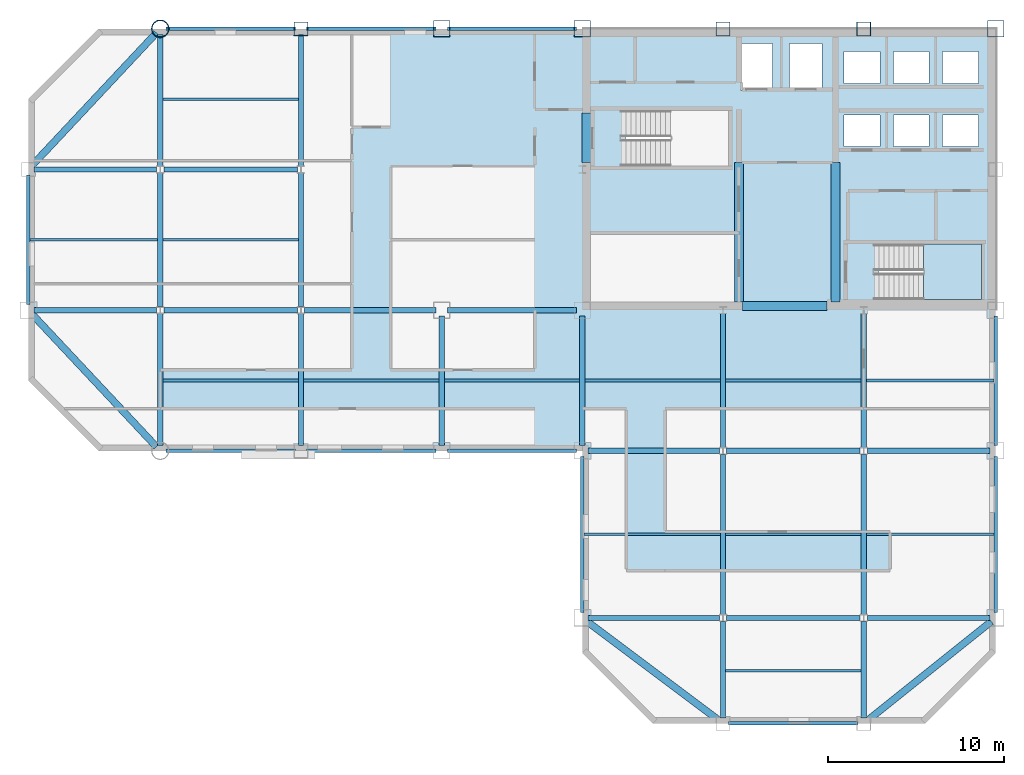
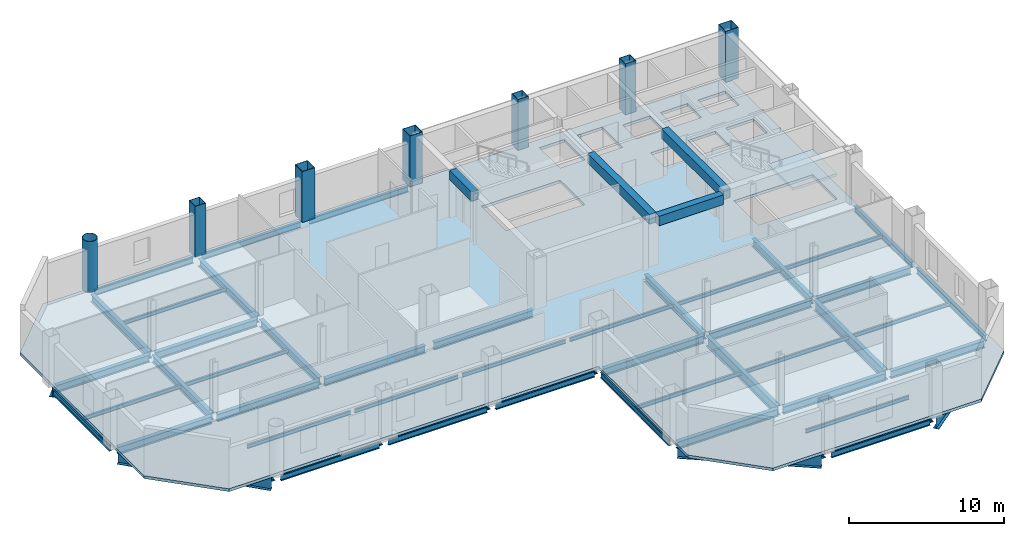
# One storey, part 3 of 10: 58 beams, 7 columns, 2 slabs, 1 element without a shape of its own.
"""IFC4 building model written with IfcOpenShell, lengths in metres."""

import ifcopenshell
import ifcopenshell.guid

model = None  # the IFC model being written
_history = None  # IfcOwnerHistory: only IFC2X3 demands one
_inside = {}  # id of a spatial element -> (the spatial element, [elements in it])
_under = {}  # id of a project, library or spatial element -> (it, [spatial elements below it])
_declared = {}  # id of a project -> (the project, [libraries it declares])
_typed = {}  # id of a type object -> (the type object, [elements of that type])
_made_of = {}  # id of a material, layer set ... -> (it, [elements and type objects made of it])


def new_model(schema):
    """Start an empty IFC model of exactly this schema.

    Asked for "IFC4X3", IfcOpenShell would pick the latest addendum, in which some entities
    have other attributes; the version numbers below select the first issue.
    IFC2X3 requires an IfcOwnerHistory on every rooted entity: one is made here for all.
    """
    global model, _history
    if schema == "IFC4X3":
        model = ifcopenshell.file(schema_version=(4, 3, 0, 0))
    else:
        model = ifcopenshell.file(schema=schema)
    _inside.clear()
    _under.clear()
    _declared.clear()
    _typed.clear()
    _made_of.clear()
    _history = None
    if model.schema == "IFC2X3":
        org = make("IfcOrganization", Name="unknown")
        user = make(
            "IfcPersonAndOrganization",
            ThePerson=make("IfcPerson", FamilyName="unknown"),
            TheOrganization=org,
        )
        app = make(
            "IfcApplication",
            ApplicationDeveloper=org,
            Version="unknown",
            ApplicationFullName="unknown",
            ApplicationIdentifier="unknown",
        )
        _history = make(
            "IfcOwnerHistory",
            OwningUser=user,
            OwningApplication=app,
            ChangeAction="ADDED",
            CreationDate=0,
        )
    return model


def make(cls, **values):
    """One entity of the class cls with the attributes given. An attribute that is None is left unset."""
    return model.create_entity(
        cls, **{name: value for name, value in values.items() if value is not None}
    )


def rooted(cls, **values):
    """An entity with a GlobalId (a new one), such as an element, a storey or a relation."""
    return make(cls, GlobalId=ifcopenshell.guid.new(), OwnerHistory=_history, **values)


def si_unit(unit_type, name, prefix=None):
    """IfcSIUnit, for example si_unit("LENGTHUNIT", "METRE", prefix="MILLI")."""
    return make("IfcSIUnit", UnitType=unit_type, Prefix=prefix, Name=name)


def assignment(units):
    """IfcUnitAssignment: the units of a project."""
    return None if units is None else make("IfcUnitAssignment", Units=units)


def point(xyz):
    """IfcCartesianPoint."""
    return None if xyz is None else make("IfcCartesianPoint", Coordinates=xyz)


def direction(xyz):
    """IfcDirection."""
    return None if xyz is None else make("IfcDirection", DirectionRatios=xyz)


def frame(location, z_axis=None, x_axis=None):
    """IfcAxis2Placement3D, a coordinate frame: its origin and axes. An axis left out is left unset."""
    return make(
        "IfcAxis2Placement3D",
        Location=point(location),
        Axis=direction(z_axis),
        RefDirection=direction(x_axis),
    )


def frame_2d(location, x_axis=None):
    """IfcAxis2Placement2D, a coordinate frame in the plane: its origin and x axis."""
    return make(
        "IfcAxis2Placement2D", Location=point(location), RefDirection=direction(x_axis)
    )


def origin():
    """The frame at (0, 0, 0) with its axes left unset."""
    return frame((0.0, 0.0, 0.0))


def origin_2d():
    """The frame at (0, 0) in the plane with its x axis left unset."""
    return frame_2d((0.0, 0.0))


def place(relative_to, where):
    """IfcLocalPlacement: puts the frame where relative to a parent placement (None: the world)."""
    return make(
        "IfcLocalPlacement", PlacementRelTo=relative_to, RelativePlacement=where
    )


def context(
    kind, dimensions, precision=None, world=None, true_north=None, identifier=None
):
    """IfcGeometricRepresentationContext, for example the 3D "Model" context."""
    return make(
        "IfcGeometricRepresentationContext",
        ContextIdentifier=identifier,
        ContextType=kind,
        CoordinateSpaceDimension=dimensions,
        Precision=precision,
        WorldCoordinateSystem=world,
        TrueNorth=true_north,
    )


def subcontext(parent, identifier, kind, view, scale=None):
    """IfcGeometricRepresentationSubContext, for example "Body" below "Model"."""
    return make(
        "IfcGeometricRepresentationSubContext",
        ContextIdentifier=identifier,
        ContextType=kind,
        ParentContext=parent,
        TargetScale=scale,
        TargetView=view,
    )


def project(units=None, contexts=None):
    """IfcProject with its units and contexts."""
    return rooted(
        "IfcProject",
        Name="project",
        RepresentationContexts=contexts,
        UnitsInContext=assignment(units),
    )


def spatial(cls, under=None, at=None, **own):
    """A site, building, storey or space (cls), placed at a placement, below another one or the project."""
    s = rooted(cls, ObjectPlacement=at, **own)
    if under is not None:
        _under.setdefault(under.id(), (under, []))[1].append(s)
    return s


def polyline(points):
    """IfcPolyline through the points."""
    return make("IfcPolyline", Points=[point(p) for p in points])


def profile(cls, at=None, kind="AREA", **sizes):
    """A parametric profile (cls). Its sizes go by their IFC names, for example OverallWidth=200.0."""
    return make(cls, ProfileType=kind, Position=at, **sizes)


def rectangle(**sizes):
    """IfcRectangleProfileDef."""
    return profile("IfcRectangleProfileDef", **sizes)


def hollow_rectangle(**sizes):
    """IfcRectangleHollowProfileDef."""
    return profile("IfcRectangleHollowProfileDef", **sizes)


def hollow_circle(**sizes):
    """IfcCircleHollowProfileDef."""
    return profile("IfcCircleHollowProfileDef", **sizes)


def i_section(**sizes):
    """IfcIShapeProfileDef."""
    return profile("IfcIShapeProfileDef", **sizes)


def outline(outer, holes=None, kind="AREA"):
    """IfcArbitraryClosedProfileDef: a profile drawn as a closed curve; with holes, ...WithVoids."""
    if holes is None:
        return make("IfcArbitraryClosedProfileDef", ProfileType=kind, OuterCurve=outer)
    return make(
        "IfcArbitraryProfileDefWithVoids",
        ProfileType=kind,
        OuterCurve=outer,
        InnerCurves=holes,
    )


def extrude(swept, where, along, depth):
    """IfcExtrudedAreaSolid: the profile swept, set in the frame where, extruded along a direction by depth."""
    return make(
        "IfcExtrudedAreaSolid",
        SweptArea=swept,
        Position=where,
        ExtrudedDirection=direction(along),
        Depth=depth,
    )


def shape(context_of_items, identifier, shape_type, items):
    """IfcShapeRepresentation: the items that make up one representation, for example the "Body"."""
    return make(
        "IfcShapeRepresentation",
        ContextOfItems=context_of_items,
        RepresentationIdentifier=identifier,
        RepresentationType=shape_type,
        Items=items,
    )


def material(Name=None, Category=None):
    """IfcMaterial."""
    return make("IfcMaterial", Name=Name, Category=Category)


def layer(
    of_material, thickness, ventilated=None, Name=None, Category=None, Priority=None
):
    """IfcMaterialLayer: one layer of a wall or slab, of a material (None: an air gap)."""
    return make(
        "IfcMaterialLayer",
        Material=of_material,
        LayerThickness=thickness,
        IsVentilated=ventilated,
        Name=Name,
        Category=Category,
        Priority=Priority,
    )


def layer_set(layers, Name=None):
    """IfcMaterialLayerSet."""
    return make("IfcMaterialLayerSet", MaterialLayers=layers, LayerSetName=Name)


def material_profile(
    of_material, cross_section, Name=None, Category=None, Priority=None
):
    """IfcMaterialProfile: a cross section and its material."""
    return make(
        "IfcMaterialProfile",
        Name=Name,
        Material=of_material,
        Profile=cross_section,
        Priority=Priority,
        Category=Category,
    )


def profile_set(profiles, Name=None, composite=None):
    """IfcMaterialProfileSet."""
    return make(
        "IfcMaterialProfileSet",
        Name=Name,
        MaterialProfiles=profiles,
        CompositeProfile=composite,
    )


def made_of(thing, what):
    """Note that an element or type object is made of a material, layer set ...; save() writes the relation."""
    if what is not None:
        _made_of.setdefault(what.id(), (what, []))[1].append(thing)
    return thing


def type_object(cls, material=None, **own):
    """A type object (cls), such as IfcWallType, which elements share."""
    return made_of(rooted(cls, **own), material)


def element(
    cls,
    number,
    at=None,
    inside=None,
    cuts=None,
    type_object=None,
    material=None,
    context=None,
    identifier="Body",
    shape_type=None,
    held_by="IfcProductDefinitionShape",
    body=None,
    shapes=None,
    **own,
):
    """One element of the class cls, such as IfcWall. Its Tag is "e" and its number.

    at: its placement. inside: the storey or other place that contains it. cuts: it is an
    opening in that element (IfcRelVoidsElement). A single representation is given by context,
    identifier, shape_type and body (its items); several are given by shapes. held_by: the class
    of the entity that holds the representations. save() writes the other relations.
    """
    e = rooted(cls, Tag="e%d" % number, ObjectPlacement=at, **own)
    if body is not None:
        shapes = [shape(context, identifier, shape_type, body)]
    if shapes is not None:
        e.Representation = make(held_by, Representations=shapes)
    if inside is not None:
        _inside.setdefault(inside.id(), (inside, []))[1].append(e)
    if cuts is not None:
        rooted(
            "IfcRelVoidsElement", RelatingBuildingElement=cuts, RelatedOpeningElement=e
        )
    if type_object is not None:
        _typed.setdefault(type_object.id(), (type_object, []))[1].append(e)
    return made_of(e, material)


def aggregate(whole, parts):
    """IfcRelAggregates: a whole, such as a stair, and the parts it consists of."""
    return rooted("IfcRelAggregates", RelatingObject=whole, RelatedObjects=parts)


def save(model, path):
    """Write the relations noted so far, then the file.

    IfcRelAggregates (storeys below a building ...), IfcRelContainedInSpatialStructure (elements
    in a storey), IfcRelDefinesByType, IfcRelAssociatesMaterial and IfcRelDeclares: one each for
    every whole, place, type object, material and project.
    """
    for whole, parts in _under.values():
        aggregate(whole, parts)
    for where, things in _inside.values():
        rooted(
            "IfcRelContainedInSpatialStructure",
            RelatedElements=things,
            RelatingStructure=where,
        )
    for kind, things in _typed.values():
        rooted("IfcRelDefinesByType", RelatedObjects=things, RelatingType=kind)
    for what, things in _made_of.values():
        rooted("IfcRelAssociatesMaterial", RelatedObjects=things, RelatingMaterial=what)
    for by, libraries in _declared.values():
        rooted("IfcRelDeclares", RelatingContext=by, RelatedDefinitions=libraries)
    model.write(path)


model = new_model("IFC4")

# Units and contexts
model_context = context("Model", 3, precision=1e-05, world=origin(), true_north=direction((0.0, 1.0)))
body_context = subcontext(model_context, "Body", "Model", "MODEL_VIEW")
ifc_project = project(units=[si_unit("LENGTHUNIT", "METRE"), si_unit("AREAUNIT", "SQUARE_METRE"), si_unit("VOLUMEUNIT", "CUBIC_METRE"), si_unit("PLANEANGLEUNIT", "RADIAN"), si_unit("MASSUNIT", "GRAM", prefix="KILO")], contexts=[model_context])

# Site, building, storey
site_placement = place(None, origin())
site = spatial("IfcSite", under=ifc_project, at=site_placement, CompositionType="ELEMENT")
building_placement = place(site_placement, origin())
building = spatial("IfcBuilding", under=site, at=building_placement, Name="Qianrong Seaharbour Tower", CompositionType="ELEMENT")
storey_placement = place(building_placement, frame((0.0, 0.0, 261.800048828125)))
storey = spatial("IfcBuildingStorey", under=building, at=storey_placement, Name="L63", CompositionType="ELEMENT", Elevation=261.800048828125)

# Columns
ifc_material_1 = material(Name="Structural steel SN490B", Category="steel")
ifc_material_profile_1 = material_profile(ifc_material_1, hollow_rectangle(XDim=0.949951171875, YDim=0.949951171875, WallThickness=0.035888671875, at=origin_2d()), Name="BOX950x950x36")
ifc_profile_set_1 = profile_set([ifc_material_profile_1], Name="Structural steel SN490B")
column_type_1 = type_object("IfcColumnType", Name="COL-CFT-950", PredefinedType="COLUMN", material=ifc_profile_set_1)
for number, where, z_axis, x_axis, name in (
    (1, (32.5, 52.0, 0.0), (0.0, 0.0, 1.0), (1.0, 0.0, 0.0), "L63 Column MC-4 at G5/GH"),
    (2, (40.5, 52.0, 0.0), (0.0, 0.0, 1.0), (1.0, 0.0, 0.0), "L63 Column MC-4 at G6/GH"),
    (3, (64.0, 52.0, 0.0), (0.0, 0.0, 1.0), (1.0, 0.0, 0.0), "L63 Column MC-4 at G9/GH"),
):
    element("IfcColumn", number, at=place(storey_placement, frame(where, z_axis=z_axis, x_axis=x_axis)), inside=storey, type_object=column_type_1, Name=name, PredefinedType="COLUMN", context=body_context, shape_type="SweptSolid", body=[
        extrude(hollow_rectangle(XDim=0.949951171875, YDim=0.949951171875, WallThickness=0.035888671875, at=origin_2d()), origin(), (0.0, 0.0, 1.0), 4.0),
    ])
ifc_material_profile_2 = material_profile(ifc_material_1, hollow_circle(Radius=0.5, WallThickness=0.035888671875, at=origin_2d()), Name="CHS1000x36")
ifc_profile_set_2 = profile_set([ifc_material_profile_2], Name="Structural steel SN490B")
column_type_2 = type_object("IfcColumnType", Name="COL-CHS-1000", PredefinedType="COLUMN", material=ifc_profile_set_2)
column_placement = place(storey_placement, frame((16.5, 52.0, 0.0), z_axis=(0.0, 0.0, 1.0), x_axis=(1.0, 0.0, 0.0)))
element("IfcColumn", 4, at=column_placement, inside=storey, type_object=column_type_2, Name="L63 Column CC-2 at G3/GH", PredefinedType="COLUMN", context=body_context, shape_type="SweptSolid", body=[
    extrude(hollow_circle(Radius=0.5, WallThickness=0.035888671875, at=origin_2d()), origin(), (0.0, 0.0, 1.0), 4.0),
])
ifc_material_profile_3 = material_profile(ifc_material_1, hollow_rectangle(XDim=0.800048828125, YDim=0.800048828125, WallThickness=0.031982421875, at=origin_2d()), Name="BOX800x800x32")
ifc_profile_set_3 = profile_set([ifc_material_profile_3], Name="Structural steel SN490B")
column_type_3 = type_object("IfcColumnType", Name="COL-PER-800", PredefinedType="COLUMN", material=ifc_profile_set_3)
for number, where, z_axis, x_axis, name in (
    (5, (24.5, 52.0, 0.0), (0.0, 0.0, 1.0), (1.0, 0.0, 0.0), "L63 Column PC-3 at G4/GH"),
    (6, (48.5, 52.0, 0.0), (0.0, 0.0, 1.0), (1.0, 0.0, 0.0), "L63 Column PC-3 at G7/GH"),
    (7, (56.5, 52.0, 0.0), (0.0, 0.0, 1.0), (1.0, 0.0, 0.0), "L63 Column PC-3 at G8/GH"),
):
    element("IfcColumn", number, at=place(storey_placement, frame(where, z_axis=z_axis, x_axis=x_axis)), inside=storey, type_object=column_type_3, Name=name, PredefinedType="COLUMN", context=body_context, shape_type="SweptSolid", body=[
        extrude(hollow_rectangle(XDim=0.800048828125, YDim=0.800048828125, WallThickness=0.031982421875, at=origin_2d()), origin(), (0.0, 0.0, 1.0), 4.0),
    ])

# Beams
ifc_material_profile_4 = material_profile(ifc_material_1, i_section(OverallWidth=0.300048828125, OverallDepth=0.587890625, WebThickness=0.011962890625, FlangeThickness=0.02001953125, FilletRadius=0.02392578125, at=origin_2d()), Name="H588x300x12x20")
ifc_profile_set_4 = profile_set([ifc_material_profile_4], Name="Structural steel SN490B")
beam_type_1 = type_object("IfcBeamType", Name="BM-G-588", PredefinedType="BEAM", material=ifc_profile_set_4)
beam_1_placement = place(storey_placement, frame((40.820068359375, 18.5, -0.51904296875), z_axis=(1.0, 0.0, 0.0), x_axis=(0.0, 1.0, 0.0)))
element("IfcBeam", 8, at=beam_1_placement, inside=storey, type_object=beam_type_1, Name="L63 Primary Girder GD G6-G7", PredefinedType="BEAM", context=body_context, shape_type="SweptSolid", body=[
    extrude(i_section(OverallWidth=0.300048828125, OverallDepth=0.587890625, WebThickness=0.011962890625, FlangeThickness=0.02001953125, FilletRadius=0.02392578125, at=origin_2d()), origin(), (0.0, 0.0, 1.0), 7.47998046875),
])
beam_2_placement = place(storey_placement, frame((48.699951171875, 18.5, -0.51904296875), z_axis=(1.0, 0.0, 0.0), x_axis=(0.0, 1.0, 0.0)))
element("IfcBeam", 9, at=beam_2_placement, inside=storey, type_object=beam_type_1, Name="L63 Primary Girder GD G7-G8", PredefinedType="BEAM", context=body_context, shape_type="SweptSolid", body=[
    extrude(i_section(OverallWidth=0.300048828125, OverallDepth=0.587890625, WebThickness=0.011962890625, FlangeThickness=0.02001953125, FilletRadius=0.02392578125, at=origin_2d()), origin(), (0.0, 0.0, 1.0), 7.60009765625),
])
beam_3_placement = place(storey_placement, frame((56.699951171875, 18.5, -0.51904296875), z_axis=(1.0, 0.0, 0.0), x_axis=(0.0, 1.0, 0.0)))
element("IfcBeam", 10, at=beam_3_placement, inside=storey, type_object=beam_type_1, Name="L63 Primary Girder GD G8-G9", PredefinedType="BEAM", context=body_context, shape_type="SweptSolid", body=[
    extrude(i_section(OverallWidth=0.300048828125, OverallDepth=0.587890625, WebThickness=0.011962890625, FlangeThickness=0.02001953125, FilletRadius=0.02392578125, at=origin_2d()), origin(), (0.0, 0.0, 1.0), 6.97998046875),
])
beam_4_placement = place(storey_placement, frame((40.820068359375, 28.0, -0.51904296875), z_axis=(1.0, 0.0, 0.0), x_axis=(0.0, 1.0, 0.0)))
element("IfcBeam", 11, at=beam_4_placement, inside=storey, type_object=beam_type_1, Name="L63 Primary Girder GE G6-G7", PredefinedType="BEAM", context=body_context, shape_type="SweptSolid", body=[
    extrude(i_section(OverallWidth=0.300048828125, OverallDepth=0.587890625, WebThickness=0.011962890625, FlangeThickness=0.02001953125, FilletRadius=0.02392578125, at=origin_2d()), origin(), (0.0, 0.0, 1.0), 7.47998046875),
])
beam_5_placement = place(storey_placement, frame((48.699951171875, 28.0, -0.51904296875), z_axis=(1.0, 0.0, 0.0), x_axis=(0.0, 1.0, 0.0)))
element("IfcBeam", 12, at=beam_5_placement, inside=storey, type_object=beam_type_1, Name="L63 Primary Girder GE G7-G8", PredefinedType="BEAM", context=body_context, shape_type="SweptSolid", body=[
    extrude(i_section(OverallWidth=0.300048828125, OverallDepth=0.587890625, WebThickness=0.011962890625, FlangeThickness=0.02001953125, FilletRadius=0.02392578125, at=origin_2d()), origin(), (0.0, 0.0, 1.0), 7.60009765625),
])
for number, where, z_axis, x_axis, name in (
    (13, (56.699951171875, 28.0, -0.51904296875), (1.0, 0.0, 0.0), (0.0, 1.0, 0.0), "L63 Primary Girder GE G8-G9"),
    (14, (9.320068359375, 36.0, -0.51904296875), (1.0, 0.0, 0.0), (0.0, 1.0, 0.0), "L63 Primary Girder GF G2-G3"),
):
    element("IfcBeam", number, at=place(storey_placement, frame(where, z_axis=z_axis, x_axis=x_axis)), inside=storey, type_object=beam_type_1, Name=name, PredefinedType="BEAM", context=body_context, shape_type="SweptSolid", body=[
        extrude(i_section(OverallWidth=0.300048828125, OverallDepth=0.587890625, WebThickness=0.011962890625, FlangeThickness=0.02001953125, FilletRadius=0.02392578125, at=origin_2d()), origin(), (0.0, 0.0, 1.0), 6.97998046875),
    ])
beam_6_placement = place(storey_placement, frame((16.699951171875, 36.0, -0.51904296875), z_axis=(1.0, 0.0, 0.0), x_axis=(0.0, 1.0, 0.0)))
element("IfcBeam", 15, at=beam_6_placement, inside=storey, type_object=beam_type_1, Name="L63 Primary Girder GF G3-G4", PredefinedType="BEAM", context=body_context, shape_type="SweptSolid", body=[
    extrude(i_section(OverallWidth=0.300048828125, OverallDepth=0.587890625, WebThickness=0.011962890625, FlangeThickness=0.02001953125, FilletRadius=0.02392578125, at=origin_2d()), origin(), (0.0, 0.0, 1.0), 7.60009765625),
])
beam_7_placement = place(storey_placement, frame((24.699951171875, 36.0, -0.51904296875), z_axis=(1.0, 0.0, 0.0), x_axis=(0.0, 1.0, 0.0)))
element("IfcBeam", 16, at=beam_7_placement, inside=storey, type_object=beam_type_1, Name="L63 Primary Girder GF G4-G5", PredefinedType="BEAM", context=body_context, shape_type="SweptSolid", body=[
    extrude(i_section(OverallWidth=0.300048828125, OverallDepth=0.587890625, WebThickness=0.011962890625, FlangeThickness=0.02001953125, FilletRadius=0.02392578125, at=origin_2d()), origin(), (0.0, 0.0, 1.0), 7.47998046875),
])
beam_8_placement = place(storey_placement, frame((32.820068359375, 36.0, -0.51904296875), z_axis=(1.0, 0.0, 0.0), x_axis=(0.0, 1.0, 0.0)))
element("IfcBeam", 17, at=beam_8_placement, inside=storey, type_object=beam_type_1, Name="L63 Primary Girder GF G5-G6", PredefinedType="BEAM", context=body_context, shape_type="SweptSolid", body=[
    extrude(i_section(OverallWidth=0.300048828125, OverallDepth=0.587890625, WebThickness=0.011962890625, FlangeThickness=0.02001953125, FilletRadius=0.02392578125, at=origin_2d()), origin(), (0.0, 0.0, 1.0), 7.35986328125),
])
beam_9_placement = place(storey_placement, frame((9.320068359375, 44.0, -0.51904296875), z_axis=(1.0, 0.0, 0.0), x_axis=(0.0, 1.0, 0.0)))
element("IfcBeam", 18, at=beam_9_placement, inside=storey, type_object=beam_type_1, Name="L63 Primary Girder GG G2-G3", PredefinedType="BEAM", context=body_context, shape_type="SweptSolid", body=[
    extrude(i_section(OverallWidth=0.300048828125, OverallDepth=0.587890625, WebThickness=0.011962890625, FlangeThickness=0.02001953125, FilletRadius=0.02392578125, at=origin_2d()), origin(), (0.0, 0.0, 1.0), 6.97998046875),
])
beam_10_placement = place(storey_placement, frame((16.699951171875, 44.0, -0.51904296875), z_axis=(1.0, 0.0, 0.0), x_axis=(0.0, 1.0, 0.0)))
element("IfcBeam", 19, at=beam_10_placement, inside=storey, type_object=beam_type_1, Name="L63 Primary Girder GG G3-G4", PredefinedType="BEAM", context=body_context, shape_type="SweptSolid", body=[
    extrude(i_section(OverallWidth=0.300048828125, OverallDepth=0.587890625, WebThickness=0.011962890625, FlangeThickness=0.02001953125, FilletRadius=0.02392578125, at=origin_2d()), origin(), (0.0, 0.0, 1.0), 7.60009765625),
])
beam_11_placement = place(storey_placement, frame((16.5, 28.320068359375, -0.51904296875), z_axis=(0.0, 1.0, 0.0), x_axis=(-1.0, 0.0, 0.0)))
element("IfcBeam", 20, at=beam_11_placement, inside=storey, type_object=beam_type_1, Name="L63 Primary Girder G3 GE-GF", PredefinedType="BEAM", context=body_context, shape_type="SweptSolid", body=[
    extrude(i_section(OverallWidth=0.300048828125, OverallDepth=0.587890625, WebThickness=0.011962890625, FlangeThickness=0.02001953125, FilletRadius=0.02392578125, at=origin_2d()), origin(), (0.0, 0.0, 1.0), 7.47998046875),
])
beam_12_placement = place(storey_placement, frame((16.5, 36.199951171875, -0.51904296875), z_axis=(0.0, 1.0, 0.0), x_axis=(-1.0, 0.0, 0.0)))
element("IfcBeam", 21, at=beam_12_placement, inside=storey, type_object=beam_type_1, Name="L63 Primary Girder G3 GF-GG", PredefinedType="BEAM", context=body_context, shape_type="SweptSolid", body=[
    extrude(i_section(OverallWidth=0.300048828125, OverallDepth=0.587890625, WebThickness=0.011962890625, FlangeThickness=0.02001953125, FilletRadius=0.02392578125, at=origin_2d()), origin(), (0.0, 0.0, 1.0), 7.60009765625),
])
for number, where, z_axis, x_axis, name in (
    (22, (16.5, 44.199951171875, -0.51904296875), (0.0, 1.0, 0.0), (-1.0, 0.0, 0.0), "L63 Primary Girder G3 GG-GH"),
    (23, (24.5, 28.320068359375, -0.51904296875), (0.0, 1.0, 0.0), (-1.0, 0.0, 0.0), "L63 Primary Girder G4 GE-GF"),
):
    element("IfcBeam", number, at=place(storey_placement, frame(where, z_axis=z_axis, x_axis=x_axis)), inside=storey, type_object=beam_type_1, Name=name, PredefinedType="BEAM", context=body_context, shape_type="SweptSolid", body=[
        extrude(i_section(OverallWidth=0.300048828125, OverallDepth=0.587890625, WebThickness=0.011962890625, FlangeThickness=0.02001953125, FilletRadius=0.02392578125, at=origin_2d()), origin(), (0.0, 0.0, 1.0), 7.47998046875),
    ])
beam_13_placement = place(storey_placement, frame((24.5, 36.199951171875, -0.51904296875), z_axis=(0.0, 1.0, 0.0), x_axis=(-1.0, 0.0, 0.0)))
element("IfcBeam", 24, at=beam_13_placement, inside=storey, type_object=beam_type_1, Name="L63 Primary Girder G4 GF-GG", PredefinedType="BEAM", context=body_context, shape_type="SweptSolid", body=[
    extrude(i_section(OverallWidth=0.300048828125, OverallDepth=0.587890625, WebThickness=0.011962890625, FlangeThickness=0.02001953125, FilletRadius=0.02392578125, at=origin_2d()), origin(), (0.0, 0.0, 1.0), 7.60009765625),
])
beam_14_placement = place(storey_placement, frame((24.5, 44.199951171875, -0.51904296875), z_axis=(0.0, 1.0, 0.0), x_axis=(-1.0, 0.0, 0.0)))
element("IfcBeam", 25, at=beam_14_placement, inside=storey, type_object=beam_type_1, Name="L63 Primary Girder G4 GG-GH", PredefinedType="BEAM", context=body_context, shape_type="SweptSolid", body=[
    extrude(i_section(OverallWidth=0.300048828125, OverallDepth=0.587890625, WebThickness=0.011962890625, FlangeThickness=0.02001953125, FilletRadius=0.02392578125, at=origin_2d()), origin(), (0.0, 0.0, 1.0), 7.47998046875),
])
for number, where, z_axis, x_axis, name in (
    (26, (32.5, 28.320068359375, -0.51904296875), (0.0, 1.0, 0.0), (-1.0, 0.0, 0.0), "L63 Primary Girder G5 GE-GF"),
    (27, (40.5, 28.320068359375, -0.51904296875), (0.0, 1.0, 0.0), (-1.0, 0.0, 0.0), "L63 Primary Girder G6 GE-GF"),
):
    element("IfcBeam", number, at=place(storey_placement, frame(where, z_axis=z_axis, x_axis=x_axis)), inside=storey, type_object=beam_type_1, Name=name, PredefinedType="BEAM", context=body_context, shape_type="SweptSolid", body=[
        extrude(i_section(OverallWidth=0.300048828125, OverallDepth=0.587890625, WebThickness=0.011962890625, FlangeThickness=0.02001953125, FilletRadius=0.02392578125, at=origin_2d()), origin(), (0.0, 0.0, 1.0), 7.35986328125),
    ])
beam_15_placement = place(storey_placement, frame((48.5, 12.820068359375, -0.51904296875), z_axis=(0.0, 1.0, 0.0), x_axis=(-1.0, 0.0, 0.0)))
element("IfcBeam", 28, at=beam_15_placement, inside=storey, type_object=beam_type_1, Name="L63 Primary Girder G7 GC-GD", PredefinedType="BEAM", context=body_context, shape_type="SweptSolid", body=[
    extrude(i_section(OverallWidth=0.300048828125, OverallDepth=0.587890625, WebThickness=0.011962890625, FlangeThickness=0.02001953125, FilletRadius=0.02392578125, at=origin_2d()), origin(), (0.0, 0.0, 1.0), 5.47998046875),
])
beam_16_placement = place(storey_placement, frame((48.5, 28.199951171875, -0.51904296875), z_axis=(0.0, 1.0, 0.0), x_axis=(-1.0, 0.0, 0.0)))
element("IfcBeam", 29, at=beam_16_placement, inside=storey, type_object=beam_type_1, Name="L63 Primary Girder G7 GE-GF", PredefinedType="BEAM", context=body_context, shape_type="SweptSolid", body=[
    extrude(i_section(OverallWidth=0.300048828125, OverallDepth=0.587890625, WebThickness=0.011962890625, FlangeThickness=0.02001953125, FilletRadius=0.02392578125, at=origin_2d()), origin(), (0.0, 0.0, 1.0), 7.60009765625),
])
beam_17_placement = place(storey_placement, frame((56.5, 12.820068359375, -0.51904296875), z_axis=(0.0, 1.0, 0.0), x_axis=(-1.0, 0.0, 0.0)))
element("IfcBeam", 30, at=beam_17_placement, inside=storey, type_object=beam_type_1, Name="L63 Primary Girder G8 GC-GD", PredefinedType="BEAM", context=body_context, shape_type="SweptSolid", body=[
    extrude(i_section(OverallWidth=0.300048828125, OverallDepth=0.587890625, WebThickness=0.011962890625, FlangeThickness=0.02001953125, FilletRadius=0.02392578125, at=origin_2d()), origin(), (0.0, 0.0, 1.0), 5.47998046875),
])
beam_18_placement = place(storey_placement, frame((56.5, 28.199951171875, -0.51904296875), z_axis=(0.0, 1.0, 0.0), x_axis=(-1.0, 0.0, 0.0)))
element("IfcBeam", 31, at=beam_18_placement, inside=storey, type_object=beam_type_1, Name="L63 Primary Girder G8 GE-GF", PredefinedType="BEAM", context=body_context, shape_type="SweptSolid", body=[
    extrude(i_section(OverallWidth=0.300048828125, OverallDepth=0.587890625, WebThickness=0.011962890625, FlangeThickness=0.02001953125, FilletRadius=0.02392578125, at=origin_2d()), origin(), (0.0, 0.0, 1.0), 7.60009765625),
])
ifc_material_profile_5 = material_profile(ifc_material_1, i_section(OverallWidth=0.300048828125, OverallDepth=0.800048828125, WebThickness=0.013916015625, FlangeThickness=0.02587890625, FilletRadius=0.028076171875, at=origin_2d()), Name="H800x300x14x26")
ifc_profile_set_5 = profile_set([ifc_material_profile_5], Name="Structural steel SN490B")
beam_type_2 = type_object("IfcBeamType", Name="BM-G-800", PredefinedType="BEAM", material=ifc_profile_set_5)
for number, where, z_axis, x_axis, name in (
    (32, (48.5, 18.699951171875, -0.625), (0.0, 1.0, 0.0), (-1.0, 0.0, 0.0), "L63 Primary Girder G7 GD-GE"),
    (33, (56.5, 18.699951171875, -0.625), (0.0, 1.0, 0.0), (-1.0, 0.0, 0.0), "L63 Primary Girder G8 GD-GE"),
):
    element("IfcBeam", number, at=place(storey_placement, frame(where, z_axis=z_axis, x_axis=x_axis)), inside=storey, type_object=beam_type_2, Name=name, PredefinedType="BEAM", context=body_context, shape_type="SweptSolid", body=[
        extrude(i_section(OverallWidth=0.300048828125, OverallDepth=0.800048828125, WebThickness=0.013916015625, FlangeThickness=0.02587890625, FilletRadius=0.028076171875, at=origin_2d()), origin(), (0.0, 0.0, 1.0), 9.10009765625),
    ])
ifc_material_2 = material(Name="Structural steel SN400B", Category="steel")
ifc_material_profile_6 = material_profile(ifc_material_2, i_section(OverallWidth=0.14990234375, OverallDepth=0.300048828125, WebThickness=0.006591796875, FlangeThickness=0.009033203125, FilletRadius=0.012939453125, at=origin_2d()), Name="H300x150x6.5x9")
ifc_profile_set_6 = profile_set([ifc_material_profile_6], Name="Structural steel SN400B")
beam_type_3 = type_object("IfcBeamType", Name="BM-J-300", PredefinedType="JOIST", material=ifc_profile_set_6)
beam_19_placement = place(storey_placement, frame((9.10009765625, 40.0, -0.375), z_axis=(1.0, 0.0, 0.0), x_axis=(0.0, 1.0, 0.0)))
element("IfcBeam", 34, at=beam_19_placement, inside=storey, type_object=beam_type_3, Name="L63 Composite Floor Joist G2-G3/GF-GG", PredefinedType="JOIST", context=body_context, shape_type="SweptSolid", body=[
    extrude(i_section(OverallWidth=0.14990234375, OverallDepth=0.300048828125, WebThickness=0.006591796875, FlangeThickness=0.009033203125, FilletRadius=0.012939453125, at=origin_2d()), origin(), (0.0, 0.0, 1.0), 7.25),
])
for number, where, z_axis, x_axis, name in (
    (35, (16.64990234375, 32.0, -0.375), (1.0, 0.0, 0.0), (0.0, 1.0, 0.0), "L63 Composite Floor Joist G3-G4/GE-GF"),
    (36, (16.64990234375, 40.0, -0.375), (1.0, 0.0, 0.0), (0.0, 1.0, 0.0), "L63 Composite Floor Joist G3-G4/GF-GG"),
    (37, (16.64990234375, 48.0, -0.375), (1.0, 0.0, 0.0), (0.0, 1.0, 0.0), "L63 Composite Floor Joist G3-G4/GG-GH"),
    (38, (24.64990234375, 32.0, -0.375), (1.0, 0.0, 0.0), (0.0, 1.0, 0.0), "L63 Composite Floor Joist G4-G5/GE-GF"),
    (39, (32.64990234375, 32.0, -0.375), (1.0, 0.0, 0.0), (0.0, 1.0, 0.0), "L63 Composite Floor Joist G5-G6/GE-GF"),
):
    element("IfcBeam", number, at=place(storey_placement, frame(where, z_axis=z_axis, x_axis=x_axis)), inside=storey, type_object=beam_type_3, Name=name, PredefinedType="JOIST", context=body_context, shape_type="SweptSolid", body=[
        extrude(i_section(OverallWidth=0.14990234375, OverallDepth=0.300048828125, WebThickness=0.006591796875, FlangeThickness=0.009033203125, FilletRadius=0.012939453125, at=origin_2d()), origin(), (0.0, 0.0, 1.0), 7.7001953125),
    ])
beam_20_placement = place(storey_placement, frame((40.60009765625, 23.25, -0.375), z_axis=(1.0, 0.0, 0.0), x_axis=(0.0, 1.0, 0.0)))
element("IfcBeam", 40, at=beam_20_placement, inside=storey, type_object=beam_type_3, Name="L63 Composite Floor Joist G6-G7/GD-GE", PredefinedType="JOIST", context=body_context, shape_type="SweptSolid", body=[
    extrude(i_section(OverallWidth=0.14990234375, OverallDepth=0.300048828125, WebThickness=0.006591796875, FlangeThickness=0.009033203125, FilletRadius=0.012939453125, at=origin_2d()), origin(), (0.0, 0.0, 1.0), 7.75),
])
for number, where, z_axis, x_axis, name in (
    (41, (40.64990234375, 32.0, -0.375), (1.0, 0.0, 0.0), (0.0, 1.0, 0.0), "L63 Composite Floor Joist G6-G7/GE-GF"),
    (42, (48.64990234375, 15.5, -0.375), (1.0, 0.0, 0.0), (0.0, 1.0, 0.0), "L63 Composite Floor Joist G7-G8/GC-GD"),
    (43, (48.64990234375, 23.25, -0.375), (1.0, 0.0, 0.0), (0.0, 1.0, 0.0), "L63 Composite Floor Joist G7-G8/GD-GE"),
    (44, (48.64990234375, 32.0, -0.375), (1.0, 0.0, 0.0), (0.0, 1.0, 0.0), "L63 Composite Floor Joist G7-G8/GE-GF"),
):
    element("IfcBeam", number, at=place(storey_placement, frame(where, z_axis=z_axis, x_axis=x_axis)), inside=storey, type_object=beam_type_3, Name=name, PredefinedType="JOIST", context=body_context, shape_type="SweptSolid", body=[
        extrude(i_section(OverallWidth=0.14990234375, OverallDepth=0.300048828125, WebThickness=0.006591796875, FlangeThickness=0.009033203125, FilletRadius=0.012939453125, at=origin_2d()), origin(), (0.0, 0.0, 1.0), 7.7001953125),
    ])
for number, where, z_axis, x_axis, name in (
    (45, (56.64990234375, 23.25, -0.375), (1.0, 0.0, 0.0), (0.0, 1.0, 0.0), "L63 Composite Floor Joist G8-G9/GD-GE"),
    (46, (56.64990234375, 32.0, -0.375), (1.0, 0.0, 0.0), (0.0, 1.0, 0.0), "L63 Composite Floor Joist G8-G9/GE-GF"),
):
    element("IfcBeam", number, at=place(storey_placement, frame(where, z_axis=z_axis, x_axis=x_axis)), inside=storey, type_object=beam_type_3, Name=name, PredefinedType="JOIST", context=body_context, shape_type="SweptSolid", body=[
        extrude(i_section(OverallWidth=0.14990234375, OverallDepth=0.300048828125, WebThickness=0.006591796875, FlangeThickness=0.009033203125, FilletRadius=0.012939453125, at=origin_2d()), origin(), (0.0, 0.0, 1.0), 7.25),
    ])
ifc_material_3 = material(Name="Concrete C60/75", Category="concrete")
ifc_material_profile_7 = material_profile(ifc_material_3, rectangle(XDim=0.5, YDim=0.75, at=origin_2d()), Name="RC500x750")
ifc_profile_set_7 = profile_set([ifc_material_profile_7], Name="Concrete C60/75")
beam_type_4 = type_object("IfcBeamType", Name="BM-LINTEL-750", PredefinedType="LINTEL", material=ifc_profile_set_7)
beam_21_placement = place(storey_placement, frame((40.72998046875, 44.39990234375, 3.39990234375), z_axis=(0.0, 1.0, 0.0), x_axis=(-1.0, 0.0, 0.0)))
element("IfcBeam", 47, at=beam_21_placement, inside=storey, type_object=beam_type_4, Name="L63 Core Coupling Lintel Beam West", PredefinedType="LINTEL", context=body_context, shape_type="SweptSolid", body=[
    extrude(rectangle(XDim=0.5, YDim=0.75, at=origin_2d()), origin(), (0.0, 0.0, 1.0), 2.800048828125),
])
beam_22_placement = place(storey_placement, frame((49.60009765625, 36.22998046875, 3.39990234375), z_axis=(1.0, 0.0, 0.0), x_axis=(0.0, 1.0, 0.0)))
element("IfcBeam", 48, at=beam_22_placement, inside=storey, type_object=beam_type_4, Name="L63 Core Coupling Lintel Beam CBC", PredefinedType="LINTEL", context=body_context, shape_type="SweptSolid", body=[
    extrude(rectangle(XDim=0.5, YDim=0.75, at=origin_2d()), origin(), (0.0, 0.0, 1.0), 4.7998046875),
])
for number, where, z_axis, x_axis, name in (
    (49, (49.39990234375, 36.4599609375, 3.39990234375), (0.0, 1.0, 0.0), (-1.0, 0.0, 0.0), "L63 Internal Core Coupling Beam IW1"),
    (50, (54.89990234375, 36.4599609375, 3.39990234375), (0.0, 1.0, 0.0), (-1.0, 0.0, 0.0), "L63 Internal Core Coupling Beam IW2"),
):
    element("IfcBeam", number, at=place(storey_placement, frame(where, z_axis=z_axis, x_axis=x_axis)), inside=storey, type_object=beam_type_4, Name=name, PredefinedType="LINTEL", context=body_context, shape_type="SweptSolid", body=[
        extrude(rectangle(XDim=0.5, YDim=0.75, at=origin_2d()), origin(), (0.0, 0.0, 1.0), 7.93994140625),
    ])
ifc_material_profile_8 = material_profile(ifc_material_2, i_section(OverallWidth=0.199951171875, OverallDepth=0.449951171875, WebThickness=0.009033203125, FlangeThickness=0.013916015625, FilletRadius=0.01806640625, at=origin_2d()), Name="H450x200x9x14")
ifc_profile_set_8 = profile_set([ifc_material_profile_8], Name="Structural steel SN400B")
beam_type_5 = type_object("IfcBeamType", Name="BM-SP-450", PredefinedType="SPANDREL", material=ifc_profile_set_8)
for number, where, z_axis, x_axis, name in (
    (51, (48.820068359375, 12.5, -0.449951171875), (1.0, 0.0, 0.0), (0.0, 1.0, 0.0), "L63 Spandrel Girder GC G7-G8"),
    (52, (16.820068359375, 28.0, -0.449951171875), (1.0, 0.0, 0.0), (0.0, 1.0, 0.0), "L63 Spandrel Girder GE G3-G4"),
    (53, (24.820068359375, 28.0, -0.449951171875), (1.0, 0.0, 0.0), (0.0, 1.0, 0.0), "L63 Spandrel Girder GE G4-G5"),
    (54, (32.820068359375, 28.0, -0.449951171875), (1.0, 0.0, 0.0), (0.0, 1.0, 0.0), "L63 Spandrel Girder GE G5-G6"),
    (55, (16.820068359375, 52.0, -0.449951171875), (1.0, 0.0, 0.0), (0.0, 1.0, 0.0), "L63 Spandrel Girder GH G3-G4"),
    (56, (24.820068359375, 52.0, -0.449951171875), (1.0, 0.0, 0.0), (0.0, 1.0, 0.0), "L63 Spandrel Girder GH G4-G5"),
    (57, (32.820068359375, 52.0, -0.449951171875), (1.0, 0.0, 0.0), (0.0, 1.0, 0.0), "L63 Spandrel Girder GH G5-G6"),
    (58, (9.0, 36.320068359375, -0.449951171875), (0.0, 1.0, 0.0), (-1.0, 0.0, 0.0), "L63 Spandrel Girder G2 GF-GG"),
):
    element("IfcBeam", number, at=place(storey_placement, frame(where, z_axis=z_axis, x_axis=x_axis)), inside=storey, type_object=beam_type_5, Name=name, PredefinedType="SPANDREL", context=body_context, shape_type="SweptSolid", body=[
        extrude(i_section(OverallWidth=0.199951171875, OverallDepth=0.449951171875, WebThickness=0.009033203125, FlangeThickness=0.013916015625, FilletRadius=0.01806640625, at=origin_2d()), origin(), (0.0, 0.0, 1.0), 7.35986328125),
    ])
for number, where, z_axis, x_axis, name in (
    (59, (40.5, 18.820068359375, -0.449951171875), (0.0, 1.0, 0.0), (-1.0, 0.0, 0.0), "L63 Spandrel Girder G6 GD-GE"),
    (60, (64.0, 18.820068359375, -0.449951171875), (0.0, 1.0, 0.0), (-1.0, 0.0, 0.0), "L63 Spandrel Girder G9 GD-GE"),
):
    element("IfcBeam", number, at=place(storey_placement, frame(where, z_axis=z_axis, x_axis=x_axis)), inside=storey, type_object=beam_type_5, Name=name, PredefinedType="SPANDREL", context=body_context, shape_type="SweptSolid", body=[
        extrude(i_section(OverallWidth=0.199951171875, OverallDepth=0.449951171875, WebThickness=0.009033203125, FlangeThickness=0.013916015625, FilletRadius=0.01806640625, at=origin_2d()), origin(), (0.0, 0.0, 1.0), 8.85986328125),
    ])
beam_23_placement = place(storey_placement, frame((64.0, 28.320068359375, -0.449951171875), z_axis=(0.0, 1.0, 0.0), x_axis=(-1.0, 0.0, 0.0)))
element("IfcBeam", 61, at=beam_23_placement, inside=storey, type_object=beam_type_5, Name="L63 Spandrel Girder G9 GE-GF", PredefinedType="SPANDREL", context=body_context, shape_type="SweptSolid", body=[
    extrude(i_section(OverallWidth=0.199951171875, OverallDepth=0.449951171875, WebThickness=0.009033203125, FlangeThickness=0.013916015625, FilletRadius=0.01806640625, at=origin_2d()), origin(), (0.0, 0.0, 1.0), 7.35986328125),
])
ifc_material_profile_9 = material_profile(ifc_material_1, i_section(OverallWidth=0.39990234375, OverallDepth=1.10009765625, WebThickness=0.02001953125, FlangeThickness=0.035888671875, at=origin_2d()), Name="BH1100x400x20x36")
ifc_profile_set_9 = profile_set([ifc_material_profile_9], Name="Structural steel SN490B")
beam_type_6 = type_object("IfcBeamType", Name="BM-TG-1100", PredefinedType="BEAM", material=ifc_profile_set_9)
for number, where, z_axis, x_axis, name in (
    (62, (16.28125, 28.2333984375, -0.775146484375), (-0.683947420573, 0.729531305628, 0.0), (-0.729531305628, -0.683947420573, 0.0), "L63 Chamfer Corner Spandrel Girder G2/GE"),
    (63, (16.28125, 51.7666015625, -0.775146484375), (-0.683947420573, -0.729531305628, 0.0), (0.729531305628, -0.683947420573, 0.0), "L63 Chamfer Corner Spandrel Girder G2/GH"),
):
    element("IfcBeam", number, at=place(storey_placement, frame(where, z_axis=z_axis, x_axis=x_axis)), inside=storey, type_object=beam_type_6, Name=name, PredefinedType="BEAM", context=body_context, shape_type="SweptSolid", body=[
        extrude(i_section(OverallWidth=0.39990234375, OverallDepth=1.10009765625, WebThickness=0.02001953125, FlangeThickness=0.035888671875, at=origin_2d()), origin(), (0.0, 0.0, 1.0), 10.326171875),
    ])
beam_24_placement = place(storey_placement, frame((48.243896484375, 12.69189453125, -0.775146484375), z_axis=(-0.799981219482, 0.600025039875, 0.0), x_axis=(-0.600025039875, -0.799981219482, 0.0)))
element("IfcBeam", 64, at=beam_24_placement, inside=storey, type_object=beam_type_6, Name="L63 Chamfer Corner Spandrel Girder G6/GC", PredefinedType="BEAM", context=body_context, shape_type="SweptSolid", body=[
    extrude(i_section(OverallWidth=0.39990234375, OverallDepth=1.10009765625, WebThickness=0.02001953125, FlangeThickness=0.035888671875, at=origin_2d()), origin(), (0.0, 0.0, 1.0), 9.35986328125),
])
beam_25_placement = place(storey_placement, frame((56.75, 12.699951171875, -0.775146484375), z_axis=(0.780863495394, 0.624701690058, 0.0), x_axis=(-0.624701690058, 0.780863495394, 0.0)))
element("IfcBeam", 65, at=beam_25_placement, inside=storey, type_object=beam_type_6, Name="L63 Chamfer Corner Spandrel Girder G9/GC", PredefinedType="BEAM", context=body_context, shape_type="SweptSolid", body=[
    extrude(i_section(OverallWidth=0.39990234375, OverallDepth=1.10009765625, WebThickness=0.02001953125, FlangeThickness=0.035888671875, at=origin_2d()), origin(), (0.0, 0.0, 1.0), 8.96435546875),
])

# Stair, slab
ifc_material_4 = material(Name="Concrete C50/60", Category="concrete")
stair_type = type_object("IfcStairType", Name="STAIR-DOGLEG-1500-R22", PredefinedType="HALF_TURN_STAIR", material=ifc_material_4)
stair_placement = place(storey_placement, origin())
stair = element("IfcStair", 66, at=stair_placement, inside=storey, type_object=stair_type, Name="L63 Protected Escape Stair ST-2", PredefinedType="HALF_TURN_STAIR")
ifc_layer_1 = layer(ifc_material_4, 0.199951171875)
ifc_layer_set_1 = layer_set([ifc_layer_1], Name="Concrete C50/60")
slab_type_1 = type_object("IfcSlabType", Name="SLAB-STAIR-LANDING-200", PredefinedType="LANDING", material=ifc_layer_set_1)
slab_1_placement = place(storey_placement, frame((0.0, 0.0, 1.800048828125)))
slab_1 = element("IfcSlab", 67, at=slab_1_placement, type_object=slab_type_1, Name="ST-2 landing 1", PredefinedType="LANDING", context=body_context, shape_type="SweptSolid", body=[
    extrude(outline(polyline([(59.89990234375, 36.60009765625), (63.199951171875, 36.60009765625), (63.199951171875, 39.75), (59.89990234375, 39.75), (59.89990234375, 36.60009765625)])), origin(), (0.0, 0.0, 1.0), 0.199951171875),
])
aggregate(stair, [slab_1])

# Slab
ifc_layer_2 = layer(ifc_material_4, 0.22509765625)
ifc_layer_set_2 = layer_set([ifc_layer_2], Name="Concrete C50/60")
slab_type_2 = type_object("IfcSlabType", Name="SLAB-Z3-225", PredefinedType="FLOOR", material=ifc_layer_set_2)
slab_2_placement = place(storey_placement, frame((0.0, 0.0, -0.22509765625)))
element("IfcSlab", 68, at=slab_2_placement, inside=storey, type_object=slab_type_2, Name="L63 Structural Floor Slab", PredefinedType="FLOOR", context=body_context, shape_type="SweptSolid", body=[
    extrude(outline(polyline([(44.5, 12.5), (60.0, 12.5), (64.0, 16.5), (64.0, 52.0), (13.0, 52.0), (9.0, 48.0), (9.0, 32.0), (13.0, 28.0), (40.5, 28.0), (40.5, 16.5), (44.5, 12.5)]), holes=[polyline([(42.93994140625, 44.199951171875), (42.93994140625, 47.35009765625), (48.800048828125, 47.35009765625), (48.800048828125, 44.199951171875), (42.93994140625, 44.199951171875)]), polyline([(57.340087890625, 36.60009765625), (57.340087890625, 39.75), (63.199951171875, 39.75), (63.199951171875, 36.60009765625), (57.340087890625, 36.60009765625)]), polyline([(49.47998046875, 48.530029296875), (49.47998046875, 51.169921875), (51.320068359375, 51.169921875), (51.320068359375, 48.530029296875), (49.47998046875, 48.530029296875)]), polyline([(52.280029296875, 48.530029296875), (52.280029296875, 51.169921875), (54.1201171875, 51.169921875), (54.1201171875, 48.530029296875), (52.280029296875, 48.530029296875)]), polyline([(55.3798828125, 45.300048828125), (55.3798828125, 47.10009765625), (57.419921875, 47.10009765625), (57.419921875, 45.300048828125), (55.3798828125, 45.300048828125)]), polyline([(58.179931640625, 45.300048828125), (58.179931640625, 47.10009765625), (60.219970703125, 47.10009765625), (60.219970703125, 45.300048828125), (58.179931640625, 45.300048828125)]), polyline([(60.97998046875, 45.300048828125), (60.97998046875, 47.10009765625), (63.02001953125, 47.10009765625), (63.02001953125, 45.300048828125), (60.97998046875, 45.300048828125)]), polyline([(55.3798828125, 48.89990234375), (55.3798828125, 50.699951171875), (57.419921875, 50.699951171875), (57.419921875, 48.89990234375), (55.3798828125, 48.89990234375)]), polyline([(58.179931640625, 48.89990234375), (58.179931640625, 50.699951171875), (60.219970703125, 50.699951171875), (60.219970703125, 48.89990234375), (58.179931640625, 48.89990234375)]), polyline([(60.97998046875, 48.89990234375), (60.97998046875, 50.699951171875), (63.02001953125, 50.699951171875), (63.02001953125, 48.89990234375), (60.97998046875, 48.89990234375)])]), origin(), (0.0, 0.0, 1.0), 0.22509765625),
])

save(model, "model.ifc")
